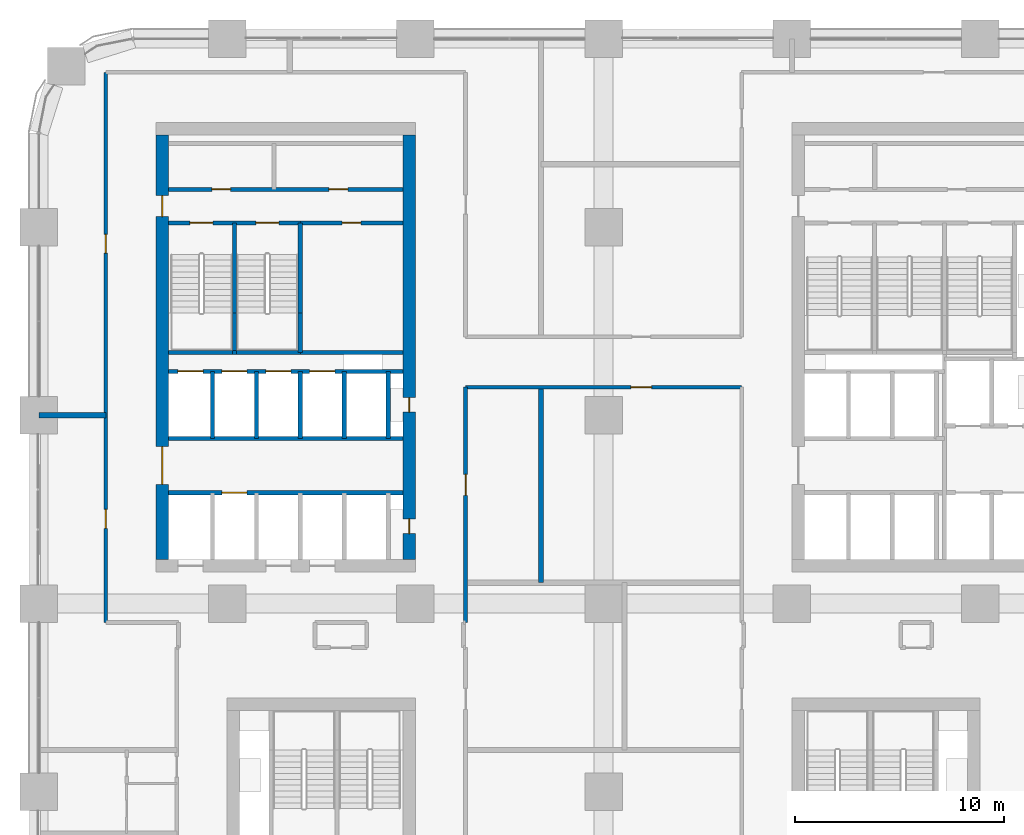
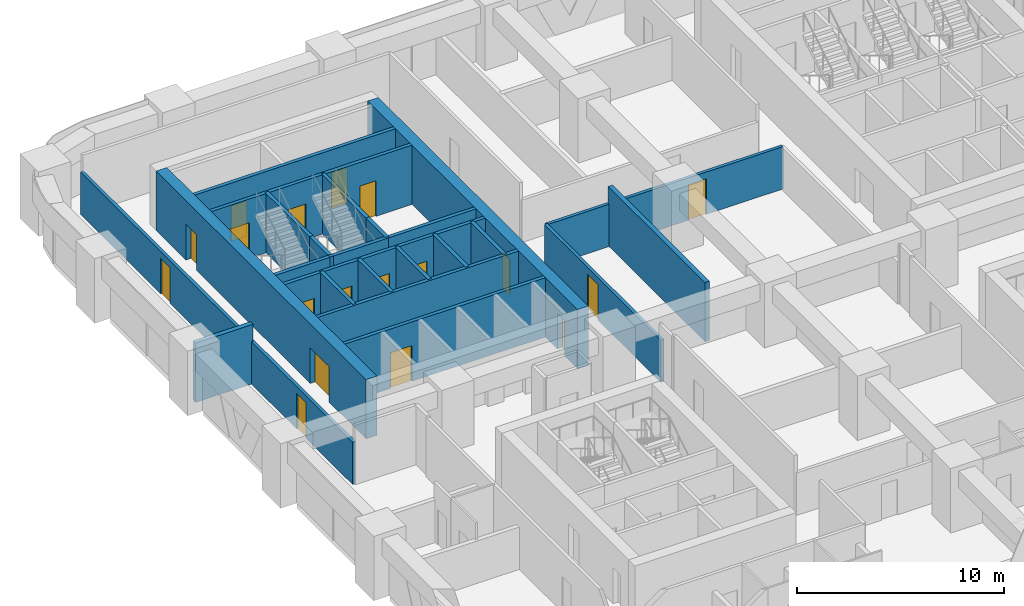
# One storey, part 18 of 24: 26 walls, 18 doors, 18 openings.
"""IFC4 building model written with IfcOpenShell, lengths in metres."""

import ifcopenshell
import ifcopenshell.guid

model = None  # the IFC model being written
_history = None  # IfcOwnerHistory: only IFC2X3 demands one
_inside = {}  # id of a spatial element -> (the spatial element, [elements in it])
_under = {}  # id of a project, library or spatial element -> (it, [spatial elements below it])
_declared = {}  # id of a project -> (the project, [libraries it declares])
_typed = {}  # id of a type object -> (the type object, [elements of that type])
_made_of = {}  # id of a material, layer set ... -> (it, [elements and type objects made of it])


def new_model(schema):
    """Start an empty IFC model of exactly this schema.

    Asked for "IFC4X3", IfcOpenShell would pick the latest addendum, in which some entities
    have other attributes; the version numbers below select the first issue.
    IFC2X3 requires an IfcOwnerHistory on every rooted entity: one is made here for all.
    """
    global model, _history
    if schema == "IFC4X3":
        model = ifcopenshell.file(schema_version=(4, 3, 0, 0))
    else:
        model = ifcopenshell.file(schema=schema)
    _inside.clear()
    _under.clear()
    _declared.clear()
    _typed.clear()
    _made_of.clear()
    _history = None
    if model.schema == "IFC2X3":
        org = make("IfcOrganization", Name="unknown")
        user = make(
            "IfcPersonAndOrganization",
            ThePerson=make("IfcPerson", FamilyName="unknown"),
            TheOrganization=org,
        )
        app = make(
            "IfcApplication",
            ApplicationDeveloper=org,
            Version="unknown",
            ApplicationFullName="unknown",
            ApplicationIdentifier="unknown",
        )
        _history = make(
            "IfcOwnerHistory",
            OwningUser=user,
            OwningApplication=app,
            ChangeAction="ADDED",
            CreationDate=0,
        )
    return model


def make(cls, **values):
    """One entity of the class cls with the attributes given. An attribute that is None is left unset."""
    return model.create_entity(
        cls, **{name: value for name, value in values.items() if value is not None}
    )


def rooted(cls, **values):
    """An entity with a GlobalId (a new one), such as an element, a storey or a relation."""
    return make(cls, GlobalId=ifcopenshell.guid.new(), OwnerHistory=_history, **values)


def si_unit(unit_type, name, prefix=None):
    """IfcSIUnit, for example si_unit("LENGTHUNIT", "METRE", prefix="MILLI")."""
    return make("IfcSIUnit", UnitType=unit_type, Prefix=prefix, Name=name)


def assignment(units):
    """IfcUnitAssignment: the units of a project."""
    return None if units is None else make("IfcUnitAssignment", Units=units)


def point(xyz):
    """IfcCartesianPoint."""
    return None if xyz is None else make("IfcCartesianPoint", Coordinates=xyz)


def direction(xyz):
    """IfcDirection."""
    return None if xyz is None else make("IfcDirection", DirectionRatios=xyz)


def frame(location, z_axis=None, x_axis=None):
    """IfcAxis2Placement3D, a coordinate frame: its origin and axes. An axis left out is left unset."""
    return make(
        "IfcAxis2Placement3D",
        Location=point(location),
        Axis=direction(z_axis),
        RefDirection=direction(x_axis),
    )


def frame_2d(location, x_axis=None):
    """IfcAxis2Placement2D, a coordinate frame in the plane: its origin and x axis."""
    return make(
        "IfcAxis2Placement2D", Location=point(location), RefDirection=direction(x_axis)
    )


def origin():
    """The frame at (0, 0, 0) with its axes left unset."""
    return frame((0.0, 0.0, 0.0))


def place(relative_to, where):
    """IfcLocalPlacement: puts the frame where relative to a parent placement (None: the world)."""
    return make(
        "IfcLocalPlacement", PlacementRelTo=relative_to, RelativePlacement=where
    )


def context(
    kind, dimensions, precision=None, world=None, true_north=None, identifier=None
):
    """IfcGeometricRepresentationContext, for example the 3D "Model" context."""
    return make(
        "IfcGeometricRepresentationContext",
        ContextIdentifier=identifier,
        ContextType=kind,
        CoordinateSpaceDimension=dimensions,
        Precision=precision,
        WorldCoordinateSystem=world,
        TrueNorth=true_north,
    )


def subcontext(parent, identifier, kind, view, scale=None):
    """IfcGeometricRepresentationSubContext, for example "Body" below "Model"."""
    return make(
        "IfcGeometricRepresentationSubContext",
        ContextIdentifier=identifier,
        ContextType=kind,
        ParentContext=parent,
        TargetScale=scale,
        TargetView=view,
    )


def project(units=None, contexts=None):
    """IfcProject with its units and contexts."""
    return rooted(
        "IfcProject",
        Name="project",
        RepresentationContexts=contexts,
        UnitsInContext=assignment(units),
    )


def spatial(cls, under=None, at=None, **own):
    """A site, building, storey or space (cls), placed at a placement, below another one or the project."""
    s = rooted(cls, ObjectPlacement=at, **own)
    if under is not None:
        _under.setdefault(under.id(), (under, []))[1].append(s)
    return s


def profile(cls, at=None, kind="AREA", **sizes):
    """A parametric profile (cls). Its sizes go by their IFC names, for example OverallWidth=200.0."""
    return make(cls, ProfileType=kind, Position=at, **sizes)


def rectangle(**sizes):
    """IfcRectangleProfileDef."""
    return profile("IfcRectangleProfileDef", **sizes)


def extrude(swept, where, along, depth):
    """IfcExtrudedAreaSolid: the profile swept, set in the frame where, extruded along a direction by depth."""
    return make(
        "IfcExtrudedAreaSolid",
        SweptArea=swept,
        Position=where,
        ExtrudedDirection=direction(along),
        Depth=depth,
    )


def shape(context_of_items, identifier, shape_type, items):
    """IfcShapeRepresentation: the items that make up one representation, for example the "Body"."""
    return make(
        "IfcShapeRepresentation",
        ContextOfItems=context_of_items,
        RepresentationIdentifier=identifier,
        RepresentationType=shape_type,
        Items=items,
    )


def material(Name=None, Category=None):
    """IfcMaterial."""
    return make("IfcMaterial", Name=Name, Category=Category)


def layer(
    of_material, thickness, ventilated=None, Name=None, Category=None, Priority=None
):
    """IfcMaterialLayer: one layer of a wall or slab, of a material (None: an air gap)."""
    return make(
        "IfcMaterialLayer",
        Material=of_material,
        LayerThickness=thickness,
        IsVentilated=ventilated,
        Name=Name,
        Category=Category,
        Priority=Priority,
    )


def layer_set(layers, Name=None):
    """IfcMaterialLayerSet."""
    return make("IfcMaterialLayerSet", MaterialLayers=layers, LayerSetName=Name)


def made_of(thing, what):
    """Note that an element or type object is made of a material, layer set ...; save() writes the relation."""
    if what is not None:
        _made_of.setdefault(what.id(), (what, []))[1].append(thing)
    return thing


def type_object(cls, material=None, **own):
    """A type object (cls), such as IfcWallType, which elements share."""
    return made_of(rooted(cls, **own), material)


def element(
    cls,
    number,
    at=None,
    inside=None,
    cuts=None,
    type_object=None,
    material=None,
    context=None,
    identifier="Body",
    shape_type=None,
    held_by="IfcProductDefinitionShape",
    body=None,
    shapes=None,
    **own,
):
    """One element of the class cls, such as IfcWall. Its Tag is "e" and its number.

    at: its placement. inside: the storey or other place that contains it. cuts: it is an
    opening in that element (IfcRelVoidsElement). A single representation is given by context,
    identifier, shape_type and body (its items); several are given by shapes. held_by: the class
    of the entity that holds the representations. save() writes the other relations.
    """
    e = rooted(cls, Tag="e%d" % number, ObjectPlacement=at, **own)
    if body is not None:
        shapes = [shape(context, identifier, shape_type, body)]
    if shapes is not None:
        e.Representation = make(held_by, Representations=shapes)
    if inside is not None:
        _inside.setdefault(inside.id(), (inside, []))[1].append(e)
    if cuts is not None:
        rooted(
            "IfcRelVoidsElement", RelatingBuildingElement=cuts, RelatedOpeningElement=e
        )
    if type_object is not None:
        _typed.setdefault(type_object.id(), (type_object, []))[1].append(e)
    return made_of(e, material)


def fill(opening, filler):
    """IfcRelFillsElement: the door or window that sits in an opening."""
    return rooted(
        "IfcRelFillsElement",
        RelatingOpeningElement=opening,
        RelatedBuildingElement=filler,
    )


def aggregate(whole, parts):
    """IfcRelAggregates: a whole, such as a stair, and the parts it consists of."""
    return rooted("IfcRelAggregates", RelatingObject=whole, RelatedObjects=parts)


def save(model, path):
    """Write the relations noted so far, then the file.

    IfcRelAggregates (storeys below a building ...), IfcRelContainedInSpatialStructure (elements
    in a storey), IfcRelDefinesByType, IfcRelAssociatesMaterial and IfcRelDeclares: one each for
    every whole, place, type object, material and project.
    """
    for whole, parts in _under.values():
        aggregate(whole, parts)
    for where, things in _inside.values():
        rooted(
            "IfcRelContainedInSpatialStructure",
            RelatedElements=things,
            RelatingStructure=where,
        )
    for kind, things in _typed.values():
        rooted("IfcRelDefinesByType", RelatedObjects=things, RelatingType=kind)
    for what, things in _made_of.values():
        rooted("IfcRelAssociatesMaterial", RelatedObjects=things, RelatingMaterial=what)
    for by, libraries in _declared.values():
        rooted("IfcRelDeclares", RelatingContext=by, RelatedDefinitions=libraries)
    model.write(path)


model = new_model("IFC4")

# Units and contexts
model_context = context("Model", 3, precision=1e-05, world=origin(), true_north=direction((0.0, 1.0)))
body_context = subcontext(model_context, "Body", "Model", "MODEL_VIEW")
ifc_project = project(units=[si_unit("LENGTHUNIT", "METRE"), si_unit("AREAUNIT", "SQUARE_METRE"), si_unit("VOLUMEUNIT", "CUBIC_METRE"), si_unit("PLANEANGLEUNIT", "RADIAN"), si_unit("MASSUNIT", "GRAM", prefix="KILO")], contexts=[model_context])

# Site, building, storey
site_placement = place(None, origin())
site = spatial("IfcSite", under=ifc_project, at=site_placement, CompositionType="ELEMENT")
building_placement = place(site_placement, origin())
building = spatial("IfcBuilding", under=site, at=building_placement, Name="Tessera Arch", CompositionType="ELEMENT")
storey_placement = place(building_placement, frame((0.0, 0.0, 38.60009765625)))
storey = spatial("IfcBuildingStorey", under=building, at=storey_placement, Name="L07", CompositionType="ELEMENT", Elevation=38.60009765625)

# Wall, opening, door
ifc_material_1 = material(Name="Gypsum board on steel stud", Category="steel")
ifc_layer_1 = layer(ifc_material_1, 0.125)
ifc_layer_set_1 = layer_set([ifc_layer_1], Name="Core partition 125 EI 60")
wall_type_1 = type_object("IfcWallType", Name="Core partition 125 EI 60", PredefinedType="PARTITIONING", material=ifc_layer_set_1)
wall_1_placement = place(storey_placement, frame((12.5, 45.199951171875, 0.0), z_axis=(0.0, 0.0, 1.0), x_axis=(1.0, 0.0, 0.0)))
wall_1 = element("IfcWall", 1, at=wall_1_placement, inside=storey, type_object=wall_type_1, Name="L07 C2 partition wall 23", PredefinedType="PARTITIONING", context=body_context, shape_type="SweptSolid", body=[
    extrude(rectangle(XDim=4.89990234375, YDim=0.199951171875, at=frame_2d((2.449951171875, 0.0))), origin(), (0.0, 0.0, 1.0), 3.5),
])
opening_1_placement = place(wall_1_placement, frame((2.0, 0.0, 0.0)))
opening_1 = element("IfcOpeningElement", 2, at=opening_1_placement, cuts=wall_1, Name="Opening L07-C30", PredefinedType="OPENING", context=body_context, shape_type="SweptSolid", body=[
    extrude(rectangle(XDim=0.89990234375, YDim=2.10009765625, at=frame_2d((0.449951171875, 1.050048828125))), frame((0.0, 0.10986328125, 0.0), z_axis=(0.0, -1.0, 0.0), x_axis=(1.0, 0.0, 0.0)), (0.0, 0.0, 1.0), 0.219970703125),
])
ifc_material_2 = material(Name="Steel door leaf", Category="steel")
door_type_1 = type_object("IfcDoorType", Name="Store door FD30S 900 x 2100", OperationType="SINGLE_SWING_LEFT", PredefinedType="DOOR", material=ifc_material_2)
door_1_placement = place(opening_1_placement, origin())
door_1 = element("IfcDoor", 3, at=door_1_placement, inside=storey, type_object=door_type_1, Name="L07 C2 door 17 C30 type D09", OperationType="SINGLE_SWING_RIGHT", OverallHeight=2.10009765625, OverallWidth=0.89990234375, PredefinedType="DOOR", context=body_context, shape_type="SweptSolid", body=[
    extrude(rectangle(XDim=0.89990234375, YDim=2.10009765625, at=frame_2d((0.449951171875, 1.050048828125))), frame((0.0, 0.02490234375, 0.0), z_axis=(0.0, -1.0, 0.0), x_axis=(1.0, 0.0, 0.0)), (0.0, 0.0, 1.0), 0.050048828125),
])
fill(opening_1, door_1)

# Wall, openings, doors
wall_2_placement = place(storey_placement, frame((6.199951171875, 46.800048828125, 0.0), z_axis=(0.0, 0.0, 1.0), x_axis=(1.0, 0.0, 0.0)))
wall_2 = element("IfcWall", 4, at=wall_2_placement, inside=storey, type_object=wall_type_1, Name="L07 C2 partition wall 25", PredefinedType="PARTITIONING", context=body_context, shape_type="SweptSolid", body=[
    extrude(rectangle(XDim=11.199951171875, YDim=0.199951171875, at=frame_2d((5.60009765625, 0.0))), origin(), (0.0, 0.0, 1.0), 3.5),
])
opening_2_placement = place(wall_2_placement, frame((2.070068359375, 0.0, 0.0)))
opening_2 = element("IfcOpeningElement", 5, at=opening_2_placement, cuts=wall_2, Name="Opening L07-C28", PredefinedType="OPENING", context=body_context, shape_type="SweptSolid", body=[
    extrude(rectangle(XDim=0.89990234375, YDim=2.10009765625, at=frame_2d((0.449951171875, 1.050048828125))), frame((0.0, 0.10986328125, 0.0), z_axis=(0.0, -1.0, 0.0), x_axis=(1.0, 0.0, 0.0)), (0.0, 0.0, 1.0), 0.219970703125),
])
opening_3_placement = place(wall_2_placement, frame((7.669921875, 0.0, 0.0)))
opening_3 = element("IfcOpeningElement", 6, at=opening_3_placement, cuts=wall_2, Name="Opening L07-C29", PredefinedType="OPENING", context=body_context, shape_type="SweptSolid", body=[
    extrude(rectangle(XDim=0.89990234375, YDim=2.10009765625, at=frame_2d((0.449951171875, 1.050048828125))), frame((0.0, 0.10986328125, 0.0), z_axis=(0.0, -1.0, 0.0), x_axis=(1.0, 0.0, 0.0)), (0.0, 0.0, 1.0), 0.219970703125),
])
door_2_placement = place(opening_2_placement, origin())
door_2 = element("IfcDoor", 7, at=door_2_placement, inside=storey, type_object=door_type_1, Name="L07 C2 door 15 C28 type D09", OperationType="SINGLE_SWING_LEFT", OverallHeight=2.10009765625, OverallWidth=0.89990234375, PredefinedType="DOOR", context=body_context, shape_type="SweptSolid", body=[
    extrude(rectangle(XDim=0.89990234375, YDim=2.10009765625, at=frame_2d((0.449951171875, 1.050048828125))), frame((0.0, 0.02490234375, 0.0), z_axis=(0.0, -1.0, 0.0), x_axis=(1.0, 0.0, 0.0)), (0.0, 0.0, 1.0), 0.050048828125),
])
fill(opening_2, door_2)
door_3_placement = place(opening_3_placement, origin())
door_3 = element("IfcDoor", 8, at=door_3_placement, inside=storey, type_object=door_type_1, Name="L07 C2 door 16 C29 type D09", OperationType="SINGLE_SWING_RIGHT", OverallHeight=2.10009765625, OverallWidth=0.89990234375, PredefinedType="DOOR", context=body_context, shape_type="SweptSolid", body=[
    extrude(rectangle(XDim=0.89990234375, YDim=2.10009765625, at=frame_2d((0.449951171875, 1.050048828125))), frame((0.0, 0.02490234375, 0.0), z_axis=(0.0, -1.0, 0.0), x_axis=(1.0, 0.0, 0.0)), (0.0, 0.0, 1.0), 0.050048828125),
])
fill(opening_3, door_3)

ifc_material_3 = material(Name="Concrete C70/85", Category="concrete")
ifc_layer_2 = layer(ifc_material_3, 0.60009765625)
ifc_layer_set_2 = layer_set([ifc_layer_2], Name="Core shell wall 600 C70-85")
wall_type_2 = type_object("IfcWallType", Name="Core shell wall 600 C70-85", PredefinedType="SHEAR", material=ifc_layer_set_2)
wall_3_placement = place(storey_placement, frame((5.89990234375, 29.10009765625, 0.0), z_axis=(0.0, 0.0, 1.0), x_axis=(0.0, 1.0, 0.0)))
wall_3 = element("IfcWall", 9, at=wall_3_placement, inside=storey, type_object=wall_type_2, Name="L07 C2 core wall W", PredefinedType="SHEAR", context=body_context, shape_type="SweptSolid", body=[
    extrude(rectangle(XDim=20.2998046875, YDim=0.60009765625, at=frame_2d((10.14990234375, 0.0))), origin(), (0.0, 0.0, 1.0), 3.5),
])
opening_4_placement = place(wall_3_placement, frame((3.60009765625, 0.0, 0.0)))
opening_4 = element("IfcOpeningElement", 10, at=opening_4_placement, cuts=wall_3, Name="Opening L07-C24", PredefinedType="OPENING", context=body_context, shape_type="SweptSolid", body=[
    extrude(rectangle(XDim=1.800048828125, YDim=2.10009765625, at=frame_2d((0.89990234375, 1.050048828125))), frame((0.0, 0.31005859375, 0.0), z_axis=(0.0, -1.0, 0.0), x_axis=(1.0, 0.0, 0.0)), (0.0, 0.0, 1.0), 0.6201171875),
])
opening_5_placement = place(wall_3_placement, frame((16.39990234375, 0.0, 0.0)))
opening_5 = element("IfcOpeningElement", 11, at=opening_5_placement, cuts=wall_3, Name="Opening L07-C27", PredefinedType="OPENING", context=body_context, shape_type="SweptSolid", body=[
    extrude(rectangle(XDim=1.0, YDim=2.10009765625, at=frame_2d((0.5, 1.050048828125))), frame((0.0, 0.31005859375, 0.0), z_axis=(0.0, -1.0, 0.0), x_axis=(1.0, 0.0, 0.0)), (0.0, 0.0, 1.0), 0.6201171875),
])
ifc_material_4 = material(Name="Steel door leaf", Category="steel")
door_type_2 = type_object("IfcDoorType", Name="Corridor door FD60 1000 x 2100", OperationType="SINGLE_SWING_LEFT", PredefinedType="DOOR", material=ifc_material_4)
door_4_placement = place(opening_5_placement, origin())
door_4 = element("IfcDoor", 12, at=door_4_placement, inside=storey, type_object=door_type_2, Name="L07 C2 door 14 C27 type D12", OperationType="SINGLE_SWING_RIGHT", OverallHeight=2.10009765625, OverallWidth=1.0, PredefinedType="DOOR", context=body_context, shape_type="SweptSolid", body=[
    extrude(rectangle(XDim=1.0, YDim=2.10009765625, at=frame_2d((0.5, 1.050048828125))), frame((0.0, 0.02490234375, 0.0), z_axis=(0.0, -1.0, 0.0), x_axis=(1.0, 0.0, 0.0)), (0.0, 0.0, 1.0), 0.050048828125),
])
fill(opening_5, door_4)
ifc_material_5 = material(Name="Glazed steel door leaf", Category="steel")
door_type_3 = type_object("IfcDoorType", Name="Lobby double door FD30S 1800 x 2100", OperationType="DOUBLE_DOOR_SINGLE_SWING", PredefinedType="DOOR", material=ifc_material_5)
door_5_placement = place(opening_4_placement, origin())
door_5 = element("IfcDoor", 13, at=door_5_placement, inside=storey, type_object=door_type_3, Name="L07 C2 door 11 C24 type D06", OperationType="DOUBLE_DOOR_SINGLE_SWING", OverallHeight=2.10009765625, OverallWidth=1.800048828125, PredefinedType="DOOR", context=body_context, shape_type="SweptSolid", body=[
    extrude(rectangle(XDim=1.800048828125, YDim=2.10009765625, at=frame_2d((0.89990234375, 1.050048828125))), frame((0.0, 0.02490234375, 0.0), z_axis=(0.0, -1.0, 0.0), x_axis=(1.0, 0.0, 0.0)), (0.0, 0.0, 1.0), 0.050048828125),
])
fill(opening_4, door_5)

wall_4_placement = place(storey_placement, frame((17.699951171875, 29.10009765625, 0.0), z_axis=(0.0, 0.0, 1.0), x_axis=(0.0, 1.0, 0.0)))
wall_4 = element("IfcWall", 14, at=wall_4_placement, inside=storey, type_object=wall_type_2, Name="L07 C2 core wall E", PredefinedType="SHEAR", context=body_context, shape_type="SweptSolid", body=[
    extrude(rectangle(XDim=20.2998046875, YDim=0.60009765625, at=frame_2d((10.14990234375, 0.0))), origin(), (0.0, 0.0, 1.0), 3.5),
])
opening_6_placement = place(wall_4_placement, frame((1.25, 0.0, 0.0)))
opening_6 = element("IfcOpeningElement", 15, at=opening_6_placement, cuts=wall_4, Name="Opening L07-C22", PredefinedType="OPENING", context=body_context, shape_type="SweptSolid", body=[
    extrude(rectangle(XDim=0.699951171875, YDim=2.10009765625, at=frame_2d((0.35009765625, 1.050048828125))), frame((0.0, 0.31005859375, 0.0), z_axis=(0.0, -1.0, 0.0), x_axis=(1.0, 0.0, 0.0)), (0.0, 0.0, 1.0), 0.6201171875),
])
opening_7_placement = place(wall_4_placement, frame((7.050048828125, 0.0, 0.0)))
opening_7 = element("IfcOpeningElement", 16, at=opening_7_placement, cuts=wall_4, Name="Opening L07-C23", PredefinedType="OPENING", context=body_context, shape_type="SweptSolid", body=[
    extrude(rectangle(XDim=0.699951171875, YDim=2.10009765625, at=frame_2d((0.35009765625, 1.050048828125))), frame((0.0, 0.31005859375, 0.0), z_axis=(0.0, -1.0, 0.0), x_axis=(1.0, 0.0, 0.0)), (0.0, 0.0, 1.0), 0.6201171875),
])
ifc_material_6 = material(Name="Steel door leaf", Category="steel")
door_type_4 = type_object("IfcDoorType", Name="Service shaft door FD60 700 x 2100", OperationType="SINGLE_SWING_LEFT", PredefinedType="DOOR", material=ifc_material_6)
door_6_placement = place(opening_6_placement, origin())
door_6 = element("IfcDoor", 17, at=door_6_placement, inside=storey, type_object=door_type_4, Name="L07 C2 door 9 C22 type D07", OperationType="SINGLE_SWING_LEFT", OverallHeight=2.10009765625, OverallWidth=0.699951171875, PredefinedType="DOOR", context=body_context, shape_type="SweptSolid", body=[
    extrude(rectangle(XDim=0.699951171875, YDim=2.10009765625, at=frame_2d((0.35009765625, 1.050048828125))), frame((0.0, 0.02490234375, 0.0), z_axis=(0.0, -1.0, 0.0), x_axis=(1.0, 0.0, 0.0)), (0.0, 0.0, 1.0), 0.050048828125),
])
fill(opening_6, door_6)
door_7_placement = place(opening_7_placement, origin())
door_7 = element("IfcDoor", 18, at=door_7_placement, inside=storey, type_object=door_type_4, Name="L07 C2 door 10 C23 type D07", OperationType="SINGLE_SWING_LEFT", OverallHeight=2.10009765625, OverallWidth=0.699951171875, PredefinedType="DOOR", context=body_context, shape_type="SweptSolid", body=[
    extrude(rectangle(XDim=0.699951171875, YDim=2.10009765625, at=frame_2d((0.35009765625, 1.050048828125))), frame((0.0, 0.02490234375, 0.0), z_axis=(0.0, -1.0, 0.0), x_axis=(1.0, 0.0, 0.0)), (0.0, 0.0, 1.0), 0.050048828125),
])
fill(opening_7, door_7)

# Wall, opening, door
ifc_material_7 = material(Name="Gypsum board on deep steel stud with mineral wool", Category="steel")
ifc_layer_3 = layer(ifc_material_7, 0.175048828125)
ifc_layer_set_3 = layer_set([ifc_layer_3], Name="Corridor wall 175 EI 60")
wall_type_3 = type_object("IfcWallType", Name="Corridor wall 175 EI 60", PredefinedType="PARTITIONING", material=ifc_layer_set_3)
wall_5_placement = place(storey_placement, frame((20.39990234375, 37.35009765625, 0.0), z_axis=(0.0, 0.0, 1.0), x_axis=(1.0, 0.0, 0.0)))
wall_5 = element("IfcWall", 19, at=wall_5_placement, inside=storey, type_object=wall_type_3, Name="L07 partition 17", PredefinedType="PARTITIONING", context=body_context, shape_type="SweptSolid", body=[
    extrude(rectangle(XDim=13.2001953125, YDim=0.175048828125, at=frame_2d((6.60009765625, 0.0))), origin(), (0.0, 0.0, 1.0), 2.5),
])
opening_8_placement = place(wall_5_placement, frame((7.89990234375, 0.0, 0.0)))
opening_8 = element("IfcOpeningElement", 20, at=opening_8_placement, cuts=wall_5, Name="Opening L07-D036", PredefinedType="OPENING", context=body_context, shape_type="SweptSolid", body=[
    extrude(rectangle(XDim=1.0, YDim=2.10009765625, at=frame_2d((0.5, 1.050048828125))), frame((0.0, 0.097412109375, 0.0), z_axis=(0.0, -1.0, 0.0), x_axis=(1.0, 0.0, 0.0)), (0.0, 0.0, 1.0), 0.195068359375),
])
ifc_material_8 = material(Name="Fire-rated door leaf")
door_type_5 = type_object("IfcDoorType", Name="Entrance door FD30S 1000 x 2100", OperationType="SINGLE_SWING_LEFT", PredefinedType="DOOR", material=ifc_material_8)
door_8_placement = place(opening_8_placement, origin())
door_8 = element("IfcDoor", 21, at=door_8_placement, inside=storey, type_object=door_type_5, Name="L07 door D036 type D03", OperationType="SINGLE_SWING_LEFT", OverallHeight=2.10009765625, OverallWidth=1.0, PredefinedType="DOOR", context=body_context, shape_type="SweptSolid", body=[
    extrude(rectangle(XDim=1.0, YDim=2.10009765625, at=frame_2d((0.5, 1.050048828125))), frame((0.0, 0.02490234375, 0.0), z_axis=(0.0, -1.0, 0.0), x_axis=(1.0, 0.0, 0.0)), (0.0, 0.0, 1.0), 0.050048828125),
])
fill(opening_8, door_8)

# Wall, openings, doors
wall_6_placement = place(storey_placement, frame((3.199951171875, 26.10009765625, 0.0), z_axis=(0.0, 0.0, 1.0), x_axis=(0.0, 1.0, 0.0)))
wall_6 = element("IfcWall", 22, at=wall_6_placement, inside=storey, type_object=wall_type_3, Name="L07 partition 21", PredefinedType="PARTITIONING", context=body_context, shape_type="SweptSolid", body=[
    extrude(rectangle(XDim=26.2998046875, YDim=0.175048828125, at=frame_2d((13.14990234375, 0.0))), origin(), (0.0, 0.0, 1.0), 2.5),
])
opening_9_placement = place(wall_6_placement, frame((4.5, 0.0, 0.0)))
opening_9 = element("IfcOpeningElement", 23, at=opening_9_placement, cuts=wall_6, Name="Opening L07-D033", PredefinedType="OPENING", context=body_context, shape_type="SweptSolid", body=[
    extrude(rectangle(XDim=0.89990234375, YDim=2.10009765625, at=frame_2d((0.449951171875, 1.050048828125))), frame((0.0, 0.097412109375, 0.0), z_axis=(0.0, -1.0, 0.0), x_axis=(1.0, 0.0, 0.0)), (0.0, 0.0, 1.0), 0.195068359375),
])
opening_10_placement = place(wall_6_placement, frame((17.64990234375, 0.0, 0.0)))
opening_10 = element("IfcOpeningElement", 24, at=opening_10_placement, cuts=wall_6, Name="Opening L07-D039", PredefinedType="OPENING", context=body_context, shape_type="SweptSolid", body=[
    extrude(rectangle(XDim=0.89990234375, YDim=2.10009765625, at=frame_2d((0.449951171875, 1.050048828125))), frame((0.0, 0.097412109375, 0.0), z_axis=(0.0, -1.0, 0.0), x_axis=(1.0, 0.0, 0.0)), (0.0, 0.0, 1.0), 0.195068359375),
])
ifc_material_9 = material(Name="Timber door leaf", Category="wood")
door_type_6 = type_object("IfcDoorType", Name="Room door 900 x 2100", OperationType="SINGLE_SWING_LEFT", PredefinedType="DOOR", material=ifc_material_9)
door_9_placement = place(opening_9_placement, origin())
door_9 = element("IfcDoor", 25, at=door_9_placement, inside=storey, type_object=door_type_6, Name="L07 door D033 type D01", OperationType="SINGLE_SWING_LEFT", OverallHeight=2.10009765625, OverallWidth=0.89990234375, PredefinedType="DOOR", context=body_context, shape_type="SweptSolid", body=[
    extrude(rectangle(XDim=0.89990234375, YDim=2.10009765625, at=frame_2d((0.449951171875, 1.050048828125))), frame((0.0, 0.02490234375, 0.0), z_axis=(0.0, -1.0, 0.0), x_axis=(1.0, 0.0, 0.0)), (0.0, 0.0, 1.0), 0.050048828125),
])
fill(opening_9, door_9)
door_10_placement = place(opening_10_placement, origin())
door_10 = element("IfcDoor", 26, at=door_10_placement, inside=storey, type_object=door_type_6, Name="L07 door D039 type D01", OperationType="SINGLE_SWING_LEFT", OverallHeight=2.10009765625, OverallWidth=0.89990234375, PredefinedType="DOOR", context=body_context, shape_type="SweptSolid", body=[
    extrude(rectangle(XDim=0.89990234375, YDim=2.10009765625, at=frame_2d((0.449951171875, 1.050048828125))), frame((0.0, 0.02490234375, 0.0), z_axis=(0.0, -1.0, 0.0), x_axis=(1.0, 0.0, 0.0)), (0.0, 0.0, 1.0), 0.050048828125),
])
fill(opening_10, door_10)

# Wall, opening, door
wall_7_placement = place(storey_placement, frame((20.39990234375, 26.10009765625, 0.0), z_axis=(0.0, 0.0, 1.0), x_axis=(0.0, 1.0, 0.0)))
wall_7 = element("IfcWall", 27, at=wall_7_placement, inside=storey, type_object=wall_type_3, Name="L07 partition 29", PredefinedType="PARTITIONING", context=body_context, shape_type="SweptSolid", body=[
    extrude(rectangle(XDim=11.25, YDim=0.175048828125, at=frame_2d((5.625, 0.0))), origin(), (0.0, 0.0, 1.0), 2.5),
])
opening_11_placement = place(wall_7_placement, frame((6.074951171875, 0.0, 0.0)))
opening_11 = element("IfcOpeningElement", 28, at=opening_11_placement, cuts=wall_7, Name="Opening L07-D035", PredefinedType="OPENING", context=body_context, shape_type="SweptSolid", body=[
    extrude(rectangle(XDim=1.0, YDim=2.10009765625, at=frame_2d((0.5, 1.050048828125))), frame((0.0, 0.097412109375, 0.0), z_axis=(0.0, -1.0, 0.0), x_axis=(1.0, 0.0, 0.0)), (0.0, 0.0, 1.0), 0.195068359375),
])
door_11_placement = place(opening_11_placement, origin())
door_11 = element("IfcDoor", 29, at=door_11_placement, inside=storey, type_object=door_type_5, Name="L07 door D035 type D03", OperationType="SINGLE_SWING_RIGHT", OverallHeight=2.10009765625, OverallWidth=1.0, PredefinedType="DOOR", context=body_context, shape_type="SweptSolid", body=[
    extrude(rectangle(XDim=1.0, YDim=2.10009765625, at=frame_2d((0.5, 1.050048828125))), frame((0.0, 0.02490234375, 0.0), z_axis=(0.0, -1.0, 0.0), x_axis=(1.0, 0.0, 0.0)), (0.0, 0.0, 1.0), 0.050048828125),
])
fill(opening_11, door_11)

# Walls
ifc_material_10 = material(Name="Double gypsum board on twin steel stud with acoustic mineral wool", Category="steel")
ifc_layer_4 = layer(ifc_material_10, 0.25)
ifc_layer_set_4 = layer_set([ifc_layer_4], Name="Party wall 250 EI 60")
wall_type_4 = type_object("IfcWallType", Name="Party wall 250 EI 60", PredefinedType="PARTITIONING", material=ifc_layer_set_4)
wall_8_placement = place(storey_placement, frame((0.0, 36.0, 0.0), z_axis=(0.0, 0.0, 1.0), x_axis=(1.0, 0.0, 0.0)))
element("IfcWall", 30, at=wall_8_placement, inside=storey, type_object=wall_type_4, Name="L07 partition 57", PredefinedType="PARTITIONING", context=body_context, shape_type="SweptSolid", body=[
    extrude(rectangle(XDim=3.199951171875, YDim=0.25, at=frame_2d((1.60009765625, 0.0))), origin(), (0.0, 0.0, 1.0), 3.5),
])
wall_9_placement = place(storey_placement, frame((24.0, 28.0, 0.0), z_axis=(0.0, 0.0, 1.0), x_axis=(0.0, 1.0, 0.0)))
element("IfcWall", 31, at=wall_9_placement, inside=storey, type_object=wall_type_4, Name="L07 partition 65", PredefinedType="PARTITIONING", context=body_context, shape_type="SweptSolid", body=[
    extrude(rectangle(XDim=9.35009765625, YDim=0.25, at=frame_2d((4.675048828125, 0.0))), origin(), (0.0, 0.0, 1.0), 3.5),
])
ifc_material_11 = material(Name="Concrete C40/50", Category="concrete")
ifc_layer_5 = layer(ifc_material_11, 0.199951171875)
ifc_layer_set_5 = layer_set([ifc_layer_5], Name="Shaft wall 200 EI 120")
wall_type_5 = type_object("IfcWallType", Name="Shaft wall 200 EI 120", PredefinedType="SOLIDWALL", material=ifc_layer_set_5)
for number, where, z_axis, x_axis, name in (
    (32, (8.300048828125, 34.89990234375, 0.0), (0.0, 0.0, 1.0), (0.0, 1.0, 0.0), "L07 C2 shaft wall 2"),
    (33, (10.39990234375, 34.89990234375, 0.0), (0.0, 0.0, 1.0), (0.0, 1.0, 0.0), "L07 C2 shaft wall 6"),
    (34, (12.5, 34.89990234375, 0.0), (0.0, 0.0, 1.0), (0.0, 1.0, 0.0), "L07 C2 shaft wall 9"),
    (35, (14.60009765625, 34.89990234375, 0.0), (0.0, 0.0, 1.0), (0.0, 1.0, 0.0), "L07 C2 shaft wall 13"),
    (36, (16.699951171875, 34.89990234375, 0.0), (0.0, 0.0, 1.0), (0.0, 1.0, 0.0), "L07 C2 shaft wall 15"),
):
    element("IfcWall", number, at=place(storey_placement, frame(where, z_axis=z_axis, x_axis=x_axis)), inside=storey, type_object=wall_type_5, Name=name, PredefinedType="SOLIDWALL", context=body_context, shape_type="SweptSolid", body=[
        extrude(rectangle(XDim=3.2001953125, YDim=0.199951171875, at=frame_2d((1.60009765625, 0.0))), origin(), (0.0, 0.0, 1.0), 3.5),
    ])

# Wall, opening, door
wall_10_placement = place(storey_placement, frame((6.199951171875, 32.300048828125, 0.0), z_axis=(0.0, 0.0, 1.0), x_axis=(1.0, 0.0, 0.0)))
wall_10 = element("IfcWall", 37, at=wall_10_placement, inside=storey, type_object=wall_type_5, Name="L07 C2 shaft wall 16", PredefinedType="SOLIDWALL", context=body_context, shape_type="SweptSolid", body=[
    extrude(rectangle(XDim=11.199951171875, YDim=0.199951171875, at=frame_2d((5.60009765625, 0.0))), origin(), (0.0, 0.0, 1.0), 3.5),
])
opening_12_placement = place(wall_10_placement, frame((2.550048828125, 0.0, 0.0)))
opening_12 = element("IfcOpeningElement", 38, at=opening_12_placement, cuts=wall_10, Name="Opening L07-C15", PredefinedType="OPENING", context=body_context, shape_type="SweptSolid", body=[
    extrude(rectangle(XDim=1.199951171875, YDim=2.10009765625, at=frame_2d((0.60009765625, 1.050048828125))), frame((0.0, 0.10986328125, 0.0), z_axis=(0.0, -1.0, 0.0), x_axis=(1.0, 0.0, 0.0)), (0.0, 0.0, 1.0), 0.219970703125),
])
ifc_material_12 = material(Name="Stainless steel AISI 304", Category="steel")
door_type_7 = type_object("IfcDoorType", Name="Sliding landing door 1200 x 2100", OperationType="SLIDING_TO_LEFT", PredefinedType="DOOR", material=ifc_material_12)
door_12_placement = place(opening_12_placement, origin())
door_12 = element("IfcDoor", 39, at=door_12_placement, inside=storey, type_object=door_type_7, Name="L07 LR2 lift landing door C15 type LD", OperationType="SLIDING_TO_LEFT", OverallHeight=2.10009765625, OverallWidth=1.199951171875, PredefinedType="DOOR", context=body_context, shape_type="SweptSolid", body=[
    extrude(rectangle(XDim=1.199951171875, YDim=2.10009765625, at=frame_2d((0.60009765625, 1.050048828125))), frame((0.0, 0.02490234375, 0.0), z_axis=(0.0, -1.0, 0.0), x_axis=(1.0, 0.0, 0.0)), (0.0, 0.0, 1.0), 0.050048828125),
])
fill(opening_12, door_12)

# Wall
wall_11_placement = place(storey_placement, frame((6.199951171875, 34.89990234375, 0.0), z_axis=(0.0, 0.0, 1.0), x_axis=(1.0, 0.0, 0.0)))
element("IfcWall", 40, at=wall_11_placement, inside=storey, type_object=wall_type_5, Name="L07 C2 shaft wall 17", PredefinedType="SOLIDWALL", context=body_context, shape_type="SweptSolid", body=[
    extrude(rectangle(XDim=11.199951171875, YDim=0.199951171875, at=frame_2d((5.60009765625, 0.0))), origin(), (0.0, 0.0, 1.0), 3.5),
])

# Wall, openings, doors
wall_12_placement = place(storey_placement, frame((6.199951171875, 38.10009765625, 0.0), z_axis=(0.0, 0.0, 1.0), x_axis=(1.0, 0.0, 0.0)))
wall_12 = element("IfcWall", 41, at=wall_12_placement, inside=storey, type_object=wall_type_5, Name="L07 C2 shaft wall 18", PredefinedType="SOLIDWALL", context=body_context, shape_type="SweptSolid", body=[
    extrude(rectangle(XDim=11.199951171875, YDim=0.199951171875, at=frame_2d((5.60009765625, 0.0))), origin(), (0.0, 0.0, 1.0), 3.5),
])
opening_13_placement = place(wall_12_placement, frame((0.449951171875, 0.0, 0.0)))
opening_13 = element("IfcOpeningElement", 42, at=opening_13_placement, cuts=wall_12, Name="Opening L07-C18", PredefinedType="OPENING", context=body_context, shape_type="SweptSolid", body=[
    extrude(rectangle(XDim=1.199951171875, YDim=2.10009765625, at=frame_2d((0.60009765625, 1.050048828125))), frame((0.0, 0.10986328125, 0.0), z_axis=(0.0, -1.0, 0.0), x_axis=(1.0, 0.0, 0.0)), (0.0, 0.0, 1.0), 0.219970703125),
])
opening_14_placement = place(wall_12_placement, frame((2.550048828125, 0.0, 0.0)))
opening_14 = element("IfcOpeningElement", 43, at=opening_14_placement, cuts=wall_12, Name="Opening L07-C19", PredefinedType="OPENING", context=body_context, shape_type="SweptSolid", body=[
    extrude(rectangle(XDim=1.199951171875, YDim=2.10009765625, at=frame_2d((0.60009765625, 1.050048828125))), frame((0.0, 0.10986328125, 0.0), z_axis=(0.0, -1.0, 0.0), x_axis=(1.0, 0.0, 0.0)), (0.0, 0.0, 1.0), 0.219970703125),
])
opening_15_placement = place(wall_12_placement, frame((4.64990234375, 0.0, 0.0)))
opening_15 = element("IfcOpeningElement", 44, at=opening_15_placement, cuts=wall_12, Name="Opening L07-C20", PredefinedType="OPENING", context=body_context, shape_type="SweptSolid", body=[
    extrude(rectangle(XDim=1.199951171875, YDim=2.10009765625, at=frame_2d((0.60009765625, 1.050048828125))), frame((0.0, 0.10986328125, 0.0), z_axis=(0.0, -1.0, 0.0), x_axis=(1.0, 0.0, 0.0)), (0.0, 0.0, 1.0), 0.219970703125),
])
opening_16_placement = place(wall_12_placement, frame((6.75, 0.0, 0.0)))
opening_16 = element("IfcOpeningElement", 45, at=opening_16_placement, cuts=wall_12, Name="Opening L07-C21", PredefinedType="OPENING", context=body_context, shape_type="SweptSolid", body=[
    extrude(rectangle(XDim=1.199951171875, YDim=2.10009765625, at=frame_2d((0.60009765625, 1.050048828125))), frame((0.0, 0.10986328125, 0.0), z_axis=(0.0, -1.0, 0.0), x_axis=(1.0, 0.0, 0.0)), (0.0, 0.0, 1.0), 0.219970703125),
])
door_13_placement = place(opening_13_placement, origin())
door_13 = element("IfcDoor", 46, at=door_13_placement, inside=storey, type_object=door_type_7, Name="L07 LR5 lift landing door C18 type LD", OperationType="SLIDING_TO_LEFT", OverallHeight=2.10009765625, OverallWidth=1.199951171875, PredefinedType="DOOR", context=body_context, shape_type="SweptSolid", body=[
    extrude(rectangle(XDim=1.199951171875, YDim=2.10009765625, at=frame_2d((0.60009765625, 1.050048828125))), frame((0.0, 0.02490234375, 0.0), z_axis=(0.0, -1.0, 0.0), x_axis=(1.0, 0.0, 0.0)), (0.0, 0.0, 1.0), 0.050048828125),
])
fill(opening_13, door_13)
door_14_placement = place(opening_14_placement, origin())
door_14 = element("IfcDoor", 47, at=door_14_placement, inside=storey, type_object=door_type_7, Name="L07 LR6 lift landing door C19 type LD", OperationType="SLIDING_TO_LEFT", OverallHeight=2.10009765625, OverallWidth=1.199951171875, PredefinedType="DOOR", context=body_context, shape_type="SweptSolid", body=[
    extrude(rectangle(XDim=1.199951171875, YDim=2.10009765625, at=frame_2d((0.60009765625, 1.050048828125))), frame((0.0, 0.02490234375, 0.0), z_axis=(0.0, -1.0, 0.0), x_axis=(1.0, 0.0, 0.0)), (0.0, 0.0, 1.0), 0.050048828125),
])
fill(opening_14, door_14)
door_15_placement = place(opening_15_placement, origin())
door_15 = element("IfcDoor", 48, at=door_15_placement, inside=storey, type_object=door_type_7, Name="L07 LR7 lift landing door C20 type LD", OperationType="SLIDING_TO_LEFT", OverallHeight=2.10009765625, OverallWidth=1.199951171875, PredefinedType="DOOR", context=body_context, shape_type="SweptSolid", body=[
    extrude(rectangle(XDim=1.199951171875, YDim=2.10009765625, at=frame_2d((0.60009765625, 1.050048828125))), frame((0.0, 0.02490234375, 0.0), z_axis=(0.0, -1.0, 0.0), x_axis=(1.0, 0.0, 0.0)), (0.0, 0.0, 1.0), 0.050048828125),
])
fill(opening_15, door_15)
door_16_placement = place(opening_16_placement, origin())
door_16 = element("IfcDoor", 49, at=door_16_placement, inside=storey, type_object=door_type_7, Name="L07 LR8 lift landing door C21 type LD", OperationType="SLIDING_TO_LEFT", OverallHeight=2.10009765625, OverallWidth=1.199951171875, PredefinedType="DOOR", context=body_context, shape_type="SweptSolid", body=[
    extrude(rectangle(XDim=1.199951171875, YDim=2.10009765625, at=frame_2d((0.60009765625, 1.050048828125))), frame((0.0, 0.02490234375, 0.0), z_axis=(0.0, -1.0, 0.0), x_axis=(1.0, 0.0, 0.0)), (0.0, 0.0, 1.0), 0.050048828125),
])
fill(opening_16, door_16)

# Walls
wall_13_placement = place(storey_placement, frame((12.5, 39.0, 0.0), z_axis=(0.0, 0.0, 1.0), x_axis=(1.0, 0.0, 0.0)))
element("IfcWall", 50, at=wall_13_placement, inside=storey, type_object=wall_type_5, Name="L07 C2 shaft wall 19", PredefinedType="SOLIDWALL", context=body_context, shape_type="SweptSolid", body=[
    extrude(rectangle(XDim=4.89990234375, YDim=0.199951171875, at=frame_2d((2.449951171875, 0.0))), origin(), (0.0, 0.0, 1.0), 3.5),
])
ifc_material_13 = material(Name="Concrete C40/50", Category="concrete")
ifc_layer_6 = layer(ifc_material_13, 0.199951171875)
ifc_layer_set_6 = layer_set([ifc_layer_6], Name="Stair well wall 200 REI 180")
wall_type_6 = type_object("IfcWallType", Name="Stair well wall 200 REI 180", PredefinedType="SOLIDWALL", material=ifc_layer_set_6)
wall_14_placement = place(storey_placement, frame((9.35009765625, 39.0, 0.0), z_axis=(0.0, 0.0, 1.0), x_axis=(0.0, 1.0, 0.0)))
element("IfcWall", 51, at=wall_14_placement, inside=storey, type_object=wall_type_6, Name="L07 C2 shaft wall 3", PredefinedType="SOLIDWALL", context=body_context, shape_type="SweptSolid", body=[
    extrude(rectangle(XDim=1.89990234375, YDim=0.199951171875, at=frame_2d((0.949951171875, 0.0))), origin(), (0.0, 0.0, 1.0), 3.5),
])
wall_15_placement = place(storey_placement, frame((9.35009765625, 40.89990234375, 0.0), z_axis=(0.0, 0.0, 1.0), x_axis=(0.0, 1.0, 0.0)))
element("IfcWall", 52, at=wall_15_placement, inside=storey, type_object=wall_type_6, Name="L07 C2 shaft wall 4", PredefinedType="SOLIDWALL", context=body_context, shape_type="SweptSolid", body=[
    extrude(rectangle(XDim=4.300048828125, YDim=0.199951171875, at=frame_2d((2.14990234375, 0.0))), origin(), (0.0, 0.0, 1.0), 3.5),
])
wall_16_placement = place(storey_placement, frame((12.5, 39.0, 0.0), z_axis=(0.0, 0.0, 1.0), x_axis=(0.0, 1.0, 0.0)))
element("IfcWall", 53, at=wall_16_placement, inside=storey, type_object=wall_type_6, Name="L07 C2 shaft wall 10", PredefinedType="SOLIDWALL", context=body_context, shape_type="SweptSolid", body=[
    extrude(rectangle(XDim=1.89990234375, YDim=0.199951171875, at=frame_2d((0.949951171875, 0.0))), origin(), (0.0, 0.0, 1.0), 3.5),
])
wall_17_placement = place(storey_placement, frame((12.5, 40.89990234375, 0.0), z_axis=(0.0, 0.0, 1.0), x_axis=(0.0, 1.0, 0.0)))
element("IfcWall", 54, at=wall_17_placement, inside=storey, type_object=wall_type_6, Name="L07 C2 shaft wall 11", PredefinedType="SOLIDWALL", context=body_context, shape_type="SweptSolid", body=[
    extrude(rectangle(XDim=4.300048828125, YDim=0.199951171875, at=frame_2d((2.14990234375, 0.0))), origin(), (0.0, 0.0, 1.0), 3.5),
])
wall_18_placement = place(storey_placement, frame((6.199951171875, 39.0, 0.0), z_axis=(0.0, 0.0, 1.0), x_axis=(1.0, 0.0, 0.0)))
element("IfcWall", 55, at=wall_18_placement, inside=storey, type_object=wall_type_6, Name="L07 C2 shaft wall 20", PredefinedType="SOLIDWALL", context=body_context, shape_type="SweptSolid", body=[
    extrude(rectangle(XDim=3.050048828125, YDim=0.199951171875, at=frame_2d((1.52490234375, 0.0))), origin(), (0.0, 0.0, 1.0), 3.5),
])
wall_19_placement = place(storey_placement, frame((9.25, 39.0, 0.0), z_axis=(0.0, 0.0, 1.0), x_axis=(1.0, 0.0, 0.0)))
element("IfcWall", 56, at=wall_19_placement, inside=storey, type_object=wall_type_6, Name="L07 C2 shaft wall 21", PredefinedType="SOLIDWALL", context=body_context, shape_type="SweptSolid", body=[
    extrude(rectangle(XDim=0.199951171875, YDim=0.199951171875, at=frame_2d((0.10009765625, 0.0))), origin(), (0.0, 0.0, 1.0), 3.5),
])
wall_20_placement = place(storey_placement, frame((9.449951171875, 39.0, 0.0), z_axis=(0.0, 0.0, 1.0), x_axis=(1.0, 0.0, 0.0)))
element("IfcWall", 57, at=wall_20_placement, inside=storey, type_object=wall_type_6, Name="L07 C2 shaft wall 22", PredefinedType="SOLIDWALL", context=body_context, shape_type="SweptSolid", body=[
    extrude(rectangle(XDim=3.050048828125, YDim=0.199951171875, at=frame_2d((1.52490234375, 0.0))), origin(), (0.0, 0.0, 1.0), 3.5),
])

# Wall, openings, doors
wall_21_placement = place(storey_placement, frame((6.199951171875, 45.199951171875, 0.0), z_axis=(0.0, 0.0, 1.0), x_axis=(1.0, 0.0, 0.0)))
wall_21 = element("IfcWall", 58, at=wall_21_placement, inside=storey, type_object=wall_type_6, Name="L07 C2 shaft wall 24", PredefinedType="SOLIDWALL", context=body_context, shape_type="SweptSolid", body=[
    extrude(rectangle(XDim=6.300048828125, YDim=0.199951171875, at=frame_2d((3.14990234375, 0.0))), origin(), (0.0, 0.0, 1.0), 3.5),
])
opening_17_placement = place(wall_21_placement, frame((1.02490234375, 0.0, 0.0)))
opening_17 = element("IfcOpeningElement", 59, at=opening_17_placement, cuts=wall_21, Name="Opening L07-C25", PredefinedType="OPENING", context=body_context, shape_type="SweptSolid", body=[
    extrude(rectangle(XDim=1.10009765625, YDim=2.10009765625, at=frame_2d((0.550048828125, 1.050048828125))), frame((0.0, 0.10986328125, 0.0), z_axis=(0.0, -1.0, 0.0), x_axis=(1.0, 0.0, 0.0)), (0.0, 0.0, 1.0), 0.219970703125),
])
opening_18_placement = place(wall_21_placement, frame((4.175048828125, 0.0, 0.0)))
opening_18 = element("IfcOpeningElement", 60, at=opening_18_placement, cuts=wall_21, Name="Opening L07-C26", PredefinedType="OPENING", context=body_context, shape_type="SweptSolid", body=[
    extrude(rectangle(XDim=1.10009765625, YDim=2.10009765625, at=frame_2d((0.550048828125, 1.050048828125))), frame((0.0, 0.10986328125, 0.0), z_axis=(0.0, -1.0, 0.0), x_axis=(1.0, 0.0, 0.0)), (0.0, 0.0, 1.0), 0.219970703125),
])
ifc_material_14 = material(Name="Steel door leaf", Category="steel")
door_type_8 = type_object("IfcDoorType", Name="Stair door FD60 1100 x 2100", OperationType="SINGLE_SWING_LEFT", PredefinedType="DOOR", material=ifc_material_14)
door_17_placement = place(opening_17_placement, origin())
door_17 = element("IfcDoor", 61, at=door_17_placement, inside=storey, type_object=door_type_8, Name="L07 C2 door 12 C25 type D05", OperationType="SINGLE_SWING_LEFT", OverallHeight=2.10009765625, OverallWidth=1.10009765625, PredefinedType="DOOR", context=body_context, shape_type="SweptSolid", body=[
    extrude(rectangle(XDim=1.10009765625, YDim=2.10009765625, at=frame_2d((0.550048828125, 1.050048828125))), frame((0.0, 0.02490234375, 0.0), z_axis=(0.0, -1.0, 0.0), x_axis=(1.0, 0.0, 0.0)), (0.0, 0.0, 1.0), 0.050048828125),
])
fill(opening_17, door_17)
door_18_placement = place(opening_18_placement, origin())
door_18 = element("IfcDoor", 62, at=door_18_placement, inside=storey, type_object=door_type_8, Name="L07 C2 door 13 C26 type D05", OperationType="SINGLE_SWING_RIGHT", OverallHeight=2.10009765625, OverallWidth=1.10009765625, PredefinedType="DOOR", context=body_context, shape_type="SweptSolid", body=[
    extrude(rectangle(XDim=1.10009765625, YDim=2.10009765625, at=frame_2d((0.550048828125, 1.050048828125))), frame((0.0, 0.02490234375, 0.0), z_axis=(0.0, -1.0, 0.0), x_axis=(1.0, 0.0, 0.0)), (0.0, 0.0, 1.0), 0.050048828125),
])
fill(opening_18, door_18)

save(model, "model.ifc")
